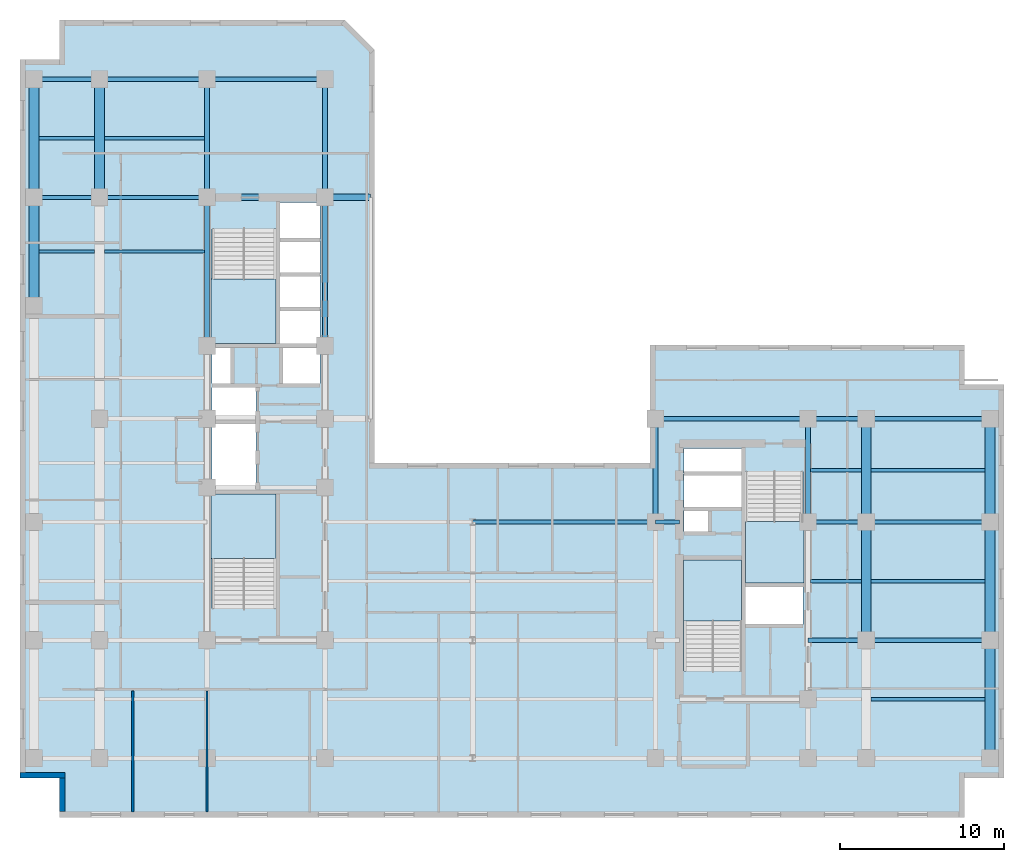
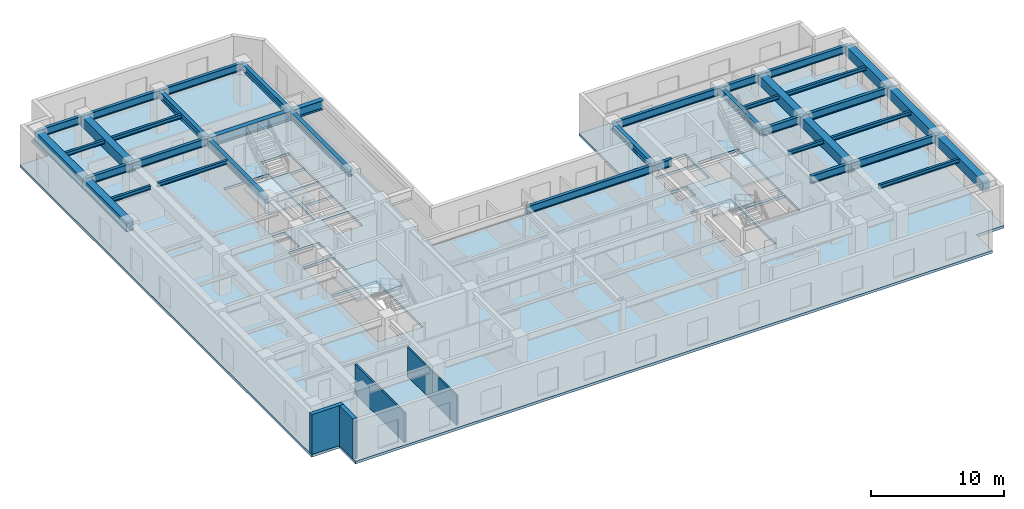
# One storey, part 2 of 10: 38 beams, 5 slabs, 4 walls, 4 elements without a shape of their own.
"""IFC4 building model written with IfcOpenShell, lengths in metres."""

from ifc_helpers import new_model, entity, si_unit, converted_unit, direction, frame, origin_with_axes, origin_2d_with_axis, place, context, subcontext, project, spatial, polyline, rectangle, i_section, outline, extrude, material, layer, layer_set, material_profile, profile_set, type_object, element, aggregate, save


model = new_model("IFC4")

# Units and contexts
model_context = context("Model", 3, precision=1e-05, world=origin_with_axes(), true_north=direction((0.0, 1.0)))
body_context = subcontext(model_context, "Body", "Model", "MODEL_VIEW")
ifc_project = project(units=[si_unit("LENGTHUNIT", "METRE"), si_unit("AREAUNIT", "SQUARE_METRE"), si_unit("VOLUMEUNIT", "CUBIC_METRE"), converted_unit("PLANEANGLEUNIT", "DEGREE", entity("IfcPlaneAngleMeasure", 0.017453292519943295), si_unit("PLANEANGLEUNIT", "RADIAN"), dimensions=[0, 0, 0, 0, 0, 0, 0]), si_unit("MASSUNIT", "GRAM", prefix="KILO"), si_unit("THERMODYNAMICTEMPERATUREUNIT", "KELVIN")], contexts=[model_context])

# Site, building, storey
site_placement = place(None, origin_with_axes())
site = spatial("IfcSite", under=ifc_project, at=site_placement, CompositionType="ELEMENT")
building_placement = place(site_placement, origin_with_axes())
building = spatial("IfcBuilding", under=site, at=building_placement, Name="Varnlund Millrace Tower", CompositionType="ELEMENT")
storey_placement = place(building_placement, frame((0.0, 0.0, 129.0), z_axis=(0.0, 0.0, 1.0), x_axis=(1.0, 0.0, 0.0)))
storey = spatial("IfcBuildingStorey", under=building, at=storey_placement, Name="L31", CompositionType="ELEMENT", Elevation=129.0)

# Beams
ifc_material_1 = material(Name="Steel ASTM A992 Grade 50", Category="steel")
ifc_material_profile_1 = material_profile(ifc_material_1, i_section(OverallWidth=0.328, OverallDepth=0.628, WebThickness=0.0165, FlangeThickness=0.0277, FilletRadius=0.018, at=origin_2d_with_axis()), Name="Steel ASTM A992 Grade 50")
ifc_profile_set_1 = profile_set([ifc_material_profile_1], Name="Steel ASTM A992 Grade 50")
beam_type_1 = type_object("IfcBeamType", Name="Type-Girder-W24X146", PredefinedType="USERDEFINED", material=ifc_profile_set_1)
beam_1_placement = place(storey_placement, frame((11.4, 28.75, 3.346), z_axis=(0.0, 1.0, 0.0), x_axis=(-1.0, 0.0, 0.0)))
element("IfcBeam", 1, at=beam_1_placement, inside=storey, type_object=beam_type_1, Name="Type-Girder-W24X146", ObjectType="GIRDER", PredefinedType="USERDEFINED", context=body_context, shape_type="SweptSolid", body=[
    extrude(i_section(OverallWidth=0.328, OverallDepth=0.628, WebThickness=0.0165, FlangeThickness=0.0277, FilletRadius=0.018, at=origin_2d_with_axis()), origin_with_axes(), (0.0, 0.0, 1.0), 9.05),
])
beam_2_placement = place(storey_placement, frame((11.4, 37.8, 3.346), z_axis=(0.0, 1.0, 0.0), x_axis=(-1.0, 0.0, 0.0)))
element("IfcBeam", 2, at=beam_2_placement, inside=storey, type_object=beam_type_1, Name="Type-Girder-W24X146", ObjectType="GIRDER", PredefinedType="USERDEFINED", context=body_context, shape_type="SweptSolid", body=[
    extrude(i_section(OverallWidth=0.328, OverallDepth=0.628, WebThickness=0.0165, FlangeThickness=0.0277, FilletRadius=0.018, at=origin_2d_with_axis()), origin_with_axes(), (0.0, 0.0, 1.0), 7.2),
])
beam_3_placement = place(storey_placement, frame((18.6, 28.75, 3.346), z_axis=(0.0, 1.0, 0.0), x_axis=(-1.0, 0.0, 0.0)))
element("IfcBeam", 3, at=beam_3_placement, inside=storey, type_object=beam_type_1, Name="Type-Girder-W24X146", ObjectType="GIRDER", PredefinedType="USERDEFINED", context=body_context, shape_type="SweptSolid", body=[
    extrude(i_section(OverallWidth=0.328, OverallDepth=0.628, WebThickness=0.0165, FlangeThickness=0.0277, FilletRadius=0.018, at=origin_2d_with_axis()), origin_with_axes(), (0.0, 0.0, 1.0), 9.05),
])
beam_4_placement = place(storey_placement, frame((18.6, 37.8, 3.346), z_axis=(0.0, 1.0, 0.0), x_axis=(-1.0, 0.0, 0.0)))
element("IfcBeam", 4, at=beam_4_placement, inside=storey, type_object=beam_type_1, Name="Type-Girder-W24X146", ObjectType="GIRDER", PredefinedType="USERDEFINED", context=body_context, shape_type="SweptSolid", body=[
    extrude(i_section(OverallWidth=0.328, OverallDepth=0.628, WebThickness=0.0165, FlangeThickness=0.0277, FilletRadius=0.018, at=origin_2d_with_axis()), origin_with_axes(), (0.0, 0.0, 1.0), 7.2),
])
for number, where, z_axis, x_axis, name in (
    (5, (38.75, 18.0, 3.346), (0.0, 1.0, 0.0), (-1.0, 0.0, 0.0), "Type-Girder-W24X146"),
    (6, (48.05, 18.0, 3.346), (0.0, 1.0, 0.0), (-1.0, 0.0, 0.0), "Type-Girder-W24X146"),
):
    element("IfcBeam", number, at=place(storey_placement, frame(where, z_axis=z_axis, x_axis=x_axis)), inside=storey, type_object=beam_type_1, Name=name, ObjectType="GIRDER", PredefinedType="USERDEFINED", context=body_context, shape_type="SweptSolid", body=[
        extrude(i_section(OverallWidth=0.328, OverallDepth=0.628, WebThickness=0.0165, FlangeThickness=0.0277, FilletRadius=0.018, at=origin_2d_with_axis()), origin_with_axes(), (0.0, 0.0, 1.0), 6.3),
    ])
ifc_material_profile_2 = material_profile(ifc_material_1, i_section(OverallWidth=0.256, OverallDepth=0.693, WebThickness=0.0145, FlangeThickness=0.0236, FilletRadius=0.018, at=origin_2d_with_axis()), Name="Steel ASTM A992 Grade 50")
ifc_profile_set_2 = profile_set([ifc_material_profile_2], Name="Steel ASTM A992 Grade 50")
beam_type_2 = type_object("IfcBeamType", Name="Type-Girder-W27X114", PredefinedType="USERDEFINED", material=ifc_profile_set_2)
beam_5_placement = place(storey_placement, frame((48.05, 10.8, 3.3135), z_axis=(1.0, 0.0, 0.0), x_axis=(0.0, 1.0, 0.0)))
element("IfcBeam", 7, at=beam_5_placement, inside=storey, type_object=beam_type_2, Name="Type-Girder-W27X114", ObjectType="GIRDER", PredefinedType="USERDEFINED", context=body_context, shape_type="SweptSolid", body=[
    extrude(i_section(OverallWidth=0.256, OverallDepth=0.693, WebThickness=0.0145, FlangeThickness=0.0236, FilletRadius=0.018, at=origin_2d_with_axis()), origin_with_axes(), (0.0, 0.0, 1.0), 3.55),
])
beam_6_placement = place(storey_placement, frame((51.6, 10.8, 3.3135), z_axis=(1.0, 0.0, 0.0), x_axis=(0.0, 1.0, 0.0)))
element("IfcBeam", 8, at=beam_6_placement, inside=storey, type_object=beam_type_2, Name="Type-Girder-W27X114", ObjectType="GIRDER", PredefinedType="USERDEFINED", context=body_context, shape_type="SweptSolid", body=[
    extrude(i_section(OverallWidth=0.256, OverallDepth=0.693, WebThickness=0.0145, FlangeThickness=0.0236, FilletRadius=0.018, at=origin_2d_with_axis()), origin_with_axes(), (0.0, 0.0, 1.0), 7.55),
])
beam_7_placement = place(storey_placement, frame((27.6, 18.0, 3.3135), z_axis=(1.0, 0.0, 0.0), x_axis=(0.0, 1.0, 0.0)))
element("IfcBeam", 9, at=beam_7_placement, inside=storey, type_object=beam_type_2, Name="Type-Girder-W27X114", ObjectType="GIRDER", PredefinedType="USERDEFINED", context=body_context, shape_type="SweptSolid", body=[
    extrude(i_section(OverallWidth=0.256, OverallDepth=0.693, WebThickness=0.0145, FlangeThickness=0.0236, FilletRadius=0.018, at=origin_2d_with_axis()), origin_with_axes(), (0.0, 0.0, 1.0), 11.15),
])
beam_8_placement = place(storey_placement, frame((38.75, 18.0, 3.3135), z_axis=(1.0, 0.0, 0.0), x_axis=(0.0, 1.0, 0.0)))
element("IfcBeam", 10, at=beam_8_placement, inside=storey, type_object=beam_type_2, Name="Type-Girder-W27X114", ObjectType="GIRDER", PredefinedType="USERDEFINED", context=body_context, shape_type="SweptSolid", body=[
    extrude(i_section(OverallWidth=0.256, OverallDepth=0.693, WebThickness=0.0145, FlangeThickness=0.0236, FilletRadius=0.018, at=origin_2d_with_axis()), origin_with_axes(), (0.0, 0.0, 1.0), 1.45),
])
beam_9_placement = place(storey_placement, frame((48.05, 18.0, 3.3135), z_axis=(1.0, 0.0, 0.0), x_axis=(0.0, 1.0, 0.0)))
element("IfcBeam", 11, at=beam_9_placement, inside=storey, type_object=beam_type_2, Name="Type-Girder-W27X114", ObjectType="GIRDER", PredefinedType="USERDEFINED", context=body_context, shape_type="SweptSolid", body=[
    extrude(i_section(OverallWidth=0.256, OverallDepth=0.693, WebThickness=0.0145, FlangeThickness=0.0236, FilletRadius=0.018, at=origin_2d_with_axis()), origin_with_axes(), (0.0, 0.0, 1.0), 3.55),
])
beam_10_placement = place(storey_placement, frame((51.6, 18.0, 3.3135), z_axis=(1.0, 0.0, 0.0), x_axis=(0.0, 1.0, 0.0)))
element("IfcBeam", 12, at=beam_10_placement, inside=storey, type_object=beam_type_2, Name="Type-Girder-W27X114", ObjectType="GIRDER", PredefinedType="USERDEFINED", context=body_context, shape_type="SweptSolid", body=[
    extrude(i_section(OverallWidth=0.256, OverallDepth=0.693, WebThickness=0.0145, FlangeThickness=0.0236, FilletRadius=0.018, at=origin_2d_with_axis()), origin_with_axes(), (0.0, 0.0, 1.0), 7.55),
])
beam_11_placement = place(storey_placement, frame((38.75, 24.3, 3.3135), z_axis=(1.0, 0.0, 0.0), x_axis=(0.0, 1.0, 0.0)))
element("IfcBeam", 13, at=beam_11_placement, inside=storey, type_object=beam_type_2, Name="Type-Girder-W27X114", ObjectType="GIRDER", PredefinedType="USERDEFINED", context=body_context, shape_type="SweptSolid", body=[
    extrude(i_section(OverallWidth=0.256, OverallDepth=0.693, WebThickness=0.0145, FlangeThickness=0.0236, FilletRadius=0.018, at=origin_2d_with_axis()), origin_with_axes(), (0.0, 0.0, 1.0), 9.3),
])
beam_12_placement = place(storey_placement, frame((48.05, 24.3, 3.3135), z_axis=(1.0, 0.0, 0.0), x_axis=(0.0, 1.0, 0.0)))
element("IfcBeam", 14, at=beam_12_placement, inside=storey, type_object=beam_type_2, Name="Type-Girder-W27X114", ObjectType="GIRDER", PredefinedType="USERDEFINED", context=body_context, shape_type="SweptSolid", body=[
    extrude(i_section(OverallWidth=0.256, OverallDepth=0.693, WebThickness=0.0145, FlangeThickness=0.0236, FilletRadius=0.018, at=origin_2d_with_axis()), origin_with_axes(), (0.0, 0.0, 1.0), 3.55),
])
beam_13_placement = place(storey_placement, frame((51.6, 24.3, 3.3135), z_axis=(1.0, 0.0, 0.0), x_axis=(0.0, 1.0, 0.0)))
element("IfcBeam", 15, at=beam_13_placement, inside=storey, type_object=beam_type_2, Name="Type-Girder-W27X114", ObjectType="GIRDER", PredefinedType="USERDEFINED", context=body_context, shape_type="SweptSolid", body=[
    extrude(i_section(OverallWidth=0.256, OverallDepth=0.693, WebThickness=0.0145, FlangeThickness=0.0236, FilletRadius=0.018, at=origin_2d_with_axis()), origin_with_axes(), (0.0, 0.0, 1.0), 7.55),
])
beam_14_placement = place(storey_placement, frame((0.85, 37.8, 3.3135), z_axis=(1.0, 0.0, 0.0), x_axis=(0.0, 1.0, 0.0)))
element("IfcBeam", 16, at=beam_14_placement, inside=storey, type_object=beam_type_2, Name="Type-Girder-W27X114", ObjectType="GIRDER", PredefinedType="USERDEFINED", context=body_context, shape_type="SweptSolid", body=[
    extrude(i_section(OverallWidth=0.256, OverallDepth=0.693, WebThickness=0.0145, FlangeThickness=0.0236, FilletRadius=0.018, at=origin_2d_with_axis()), origin_with_axes(), (0.0, 0.0, 1.0), 4.0),
])
beam_15_placement = place(storey_placement, frame((4.85, 37.8, 3.3135), z_axis=(1.0, 0.0, 0.0), x_axis=(0.0, 1.0, 0.0)))
element("IfcBeam", 17, at=beam_15_placement, inside=storey, type_object=beam_type_2, Name="Type-Girder-W27X114", ObjectType="GIRDER", PredefinedType="USERDEFINED", context=body_context, shape_type="SweptSolid", body=[
    extrude(i_section(OverallWidth=0.256, OverallDepth=0.693, WebThickness=0.0145, FlangeThickness=0.0236, FilletRadius=0.018, at=origin_2d_with_axis()), origin_with_axes(), (0.0, 0.0, 1.0), 6.55),
])
beam_16_placement = place(storey_placement, frame((0.85, 45.0, 3.3135), z_axis=(1.0, 0.0, 0.0), x_axis=(0.0, 1.0, 0.0)))
element("IfcBeam", 18, at=beam_16_placement, inside=storey, type_object=beam_type_2, Name="Type-Girder-W27X114", ObjectType="GIRDER", PredefinedType="USERDEFINED", context=body_context, shape_type="SweptSolid", body=[
    extrude(i_section(OverallWidth=0.256, OverallDepth=0.693, WebThickness=0.0145, FlangeThickness=0.0236, FilletRadius=0.018, at=origin_2d_with_axis()), origin_with_axes(), (0.0, 0.0, 1.0), 4.0),
])
beam_17_placement = place(storey_placement, frame((4.85, 45.0, 3.3135), z_axis=(1.0, 0.0, 0.0), x_axis=(0.0, 1.0, 0.0)))
element("IfcBeam", 19, at=beam_17_placement, inside=storey, type_object=beam_type_2, Name="Type-Girder-W27X114", ObjectType="GIRDER", PredefinedType="USERDEFINED", context=body_context, shape_type="SweptSolid", body=[
    extrude(i_section(OverallWidth=0.256, OverallDepth=0.693, WebThickness=0.0145, FlangeThickness=0.0236, FilletRadius=0.018, at=origin_2d_with_axis()), origin_with_axes(), (0.0, 0.0, 1.0), 6.55),
])
beam_18_placement = place(storey_placement, frame((11.4, 45.0, 3.3135), z_axis=(1.0, 0.0, 0.0), x_axis=(0.0, 1.0, 0.0)))
element("IfcBeam", 20, at=beam_18_placement, inside=storey, type_object=beam_type_2, Name="Type-Girder-W27X114", ObjectType="GIRDER", PredefinedType="USERDEFINED", context=body_context, shape_type="SweptSolid", body=[
    extrude(i_section(OverallWidth=0.256, OverallDepth=0.693, WebThickness=0.0145, FlangeThickness=0.0236, FilletRadius=0.018, at=origin_2d_with_axis()), origin_with_axes(), (0.0, 0.0, 1.0), 7.2),
])
ifc_material_profile_3 = material_profile(ifc_material_1, i_section(OverallWidth=0.399, OverallDepth=0.855, WebThickness=0.0182, FlangeThickness=0.0292, FilletRadius=0.022, at=origin_2d_with_axis()), Name="Steel ASTM A992 Grade 50")
ifc_profile_set_3 = profile_set([ifc_material_profile_3], Name="Steel ASTM A992 Grade 50")
beam_type_3 = type_object("IfcBeamType", Name="Type-Girder-W33X201", PredefinedType="USERDEFINED", material=ifc_profile_set_3)
beam_19_placement = place(storey_placement, frame((11.4, 37.8, 3.2325), z_axis=(1.0, 0.0, 0.0), x_axis=(0.0, 1.0, 0.0)))
element("IfcBeam", 21, at=beam_19_placement, inside=storey, type_object=beam_type_3, Name="Type-Girder-W33X201", ObjectType="GIRDER", PredefinedType="USERDEFINED", context=body_context, shape_type="SweptSolid", body=[
    extrude(i_section(OverallWidth=0.399, OverallDepth=0.855, WebThickness=0.0182, FlangeThickness=0.0292, FilletRadius=0.022, at=origin_2d_with_axis()), origin_with_axes(), (0.0, 0.0, 1.0), 9.978),
])
ifc_material_profile_4 = material_profile(ifc_material_1, i_section(OverallWidth=0.204, OverallDepth=0.35, WebThickness=0.0086, FlangeThickness=0.0151, FilletRadius=0.013, at=origin_2d_with_axis()), Name="Steel ASTM A992 Grade 50")
ifc_profile_set_4 = profile_set([ifc_material_profile_4], Name="Steel ASTM A992 Grade 50")
beam_type_4 = type_object("IfcBeamType", Name="Type-Joist-W14X48", PredefinedType="JOIST", material=ifc_profile_set_4)
for number, where, z_axis, x_axis, name in (
    (22, (1.15, 34.5, 3.485), (1.0, 0.0, 0.0), (0.0, 1.0, 0.0), "Type-Joist-W14X48"),
    (23, (1.15, 41.4, 3.485), (1.0, 0.0, 0.0), (0.0, 1.0, 0.0), "Type-Joist-W14X48"),
):
    element("IfcBeam", number, at=place(storey_placement, frame(where, z_axis=z_axis, x_axis=x_axis)), inside=storey, type_object=beam_type_4, Name=name, PredefinedType="JOIST", context=body_context, shape_type="SweptSolid", body=[
        extrude(i_section(OverallWidth=0.204, OverallDepth=0.35, WebThickness=0.0086, FlangeThickness=0.0151, FilletRadius=0.013, at=origin_2d_with_axis()), origin_with_axes(), (0.0, 0.0, 1.0), 3.4),
    ])
for number, where, z_axis, x_axis, name in (
    (24, (5.15, 34.5, 3.485), (1.0, 0.0, 0.0), (0.0, 1.0, 0.0), "Type-Joist-W14X48"),
    (25, (5.15, 41.4, 3.485), (1.0, 0.0, 0.0), (0.0, 1.0, 0.0), "Type-Joist-W14X48"),
):
    element("IfcBeam", number, at=place(storey_placement, frame(where, z_axis=z_axis, x_axis=x_axis)), inside=storey, type_object=beam_type_4, Name=name, PredefinedType="JOIST", context=body_context, shape_type="SweptSolid", body=[
        extrude(i_section(OverallWidth=0.204, OverallDepth=0.35, WebThickness=0.0086, FlangeThickness=0.0151, FilletRadius=0.013, at=origin_2d_with_axis()), origin_with_axes(), (0.0, 0.0, 1.0), 6.086),
    ])
for number, where, z_axis, x_axis, name in (
    (26, (48.214, 14.4, 3.485), (1.0, 0.0, 0.0), (0.0, 1.0, 0.0), "Type-Joist-W14X48"),
    (27, (48.214, 21.15, 3.485), (1.0, 0.0, 0.0), (0.0, 1.0, 0.0), "Type-Joist-W14X48"),
):
    element("IfcBeam", number, at=place(storey_placement, frame(where, z_axis=z_axis, x_axis=x_axis)), inside=storey, type_object=beam_type_4, Name=name, PredefinedType="JOIST", context=body_context, shape_type="SweptSolid", body=[
        extrude(i_section(OverallWidth=0.204, OverallDepth=0.35, WebThickness=0.0086, FlangeThickness=0.0151, FilletRadius=0.013, at=origin_2d_with_axis()), origin_with_axes(), (0.0, 0.0, 1.0), 3.086),
    ])
for number, where, z_axis, x_axis, name in (
    (28, (51.9, 7.2, 3.485), (1.0, 0.0, 0.0), (0.0, 1.0, 0.0), "Type-Joist-W14X48"),
    (29, (51.9, 14.4, 3.485), (1.0, 0.0, 0.0), (0.0, 1.0, 0.0), "Type-Joist-W14X48"),
    (30, (51.9, 21.15, 3.485), (1.0, 0.0, 0.0), (0.0, 1.0, 0.0), "Type-Joist-W14X48"),
):
    element("IfcBeam", number, at=place(storey_placement, frame(where, z_axis=z_axis, x_axis=x_axis)), inside=storey, type_object=beam_type_4, Name=name, PredefinedType="JOIST", context=body_context, shape_type="SweptSolid", body=[
        extrude(i_section(OverallWidth=0.204, OverallDepth=0.35, WebThickness=0.0086, FlangeThickness=0.0151, FilletRadius=0.013, at=origin_2d_with_axis()), origin_with_axes(), (0.0, 0.0, 1.0), 6.95),
    ])
ifc_material_2 = material(Name="Concrete C70/85", Category="concrete")
ifc_material_profile_5 = material_profile(ifc_material_2, rectangle(XDim=0.6, YDim=0.9, at=origin_2d_with_axis()), Name="Concrete C70/85")
ifc_profile_set_5 = profile_set([ifc_material_profile_5], Name="Concrete C70/85")
beam_type_5 = type_object("IfcBeamType", Name="Type-Spandrel-RC600X900", PredefinedType="SPANDREL", material=ifc_profile_set_5)
beam_20_placement = place(storey_placement, frame((0.85, 31.2, 3.21), z_axis=(0.0, 1.0, 0.0), x_axis=(-1.0, 0.0, 0.0)))
element("IfcBeam", 31, at=beam_20_placement, inside=storey, type_object=beam_type_5, Name="Type-Spandrel-RC600X900", PredefinedType="SPANDREL", context=body_context, shape_type="SweptSolid", body=[
    extrude(rectangle(XDim=0.6, YDim=0.9, at=origin_2d_with_axis()), origin_with_axes(), (0.0, 0.0, 1.0), 6.6),
])
for number, where, z_axis, x_axis, name in (
    (32, (0.85, 37.8, 3.21), (0.0, 1.0, 0.0), (-1.0, 0.0, 0.0), "Type-Spandrel-RC600X900"),
    (33, (4.85, 37.8, 3.21), (0.0, 1.0, 0.0), (-1.0, 0.0, 0.0), "Type-Spandrel-RC600X900"),
    (34, (51.6, 10.8, 3.21), (0.0, 1.0, 0.0), (-1.0, 0.0, 0.0), "Type-Spandrel-RC600X900"),
):
    element("IfcBeam", number, at=place(storey_placement, frame(where, z_axis=z_axis, x_axis=x_axis)), inside=storey, type_object=beam_type_5, Name=name, PredefinedType="SPANDREL", context=body_context, shape_type="SweptSolid", body=[
        extrude(rectangle(XDim=0.6, YDim=0.9, at=origin_2d_with_axis()), origin_with_axes(), (0.0, 0.0, 1.0), 7.2),
    ])
beam_21_placement = place(storey_placement, frame((51.6, 18.0, 3.21), z_axis=(0.0, 1.0, 0.0), x_axis=(-1.0, 0.0, 0.0)))
element("IfcBeam", 35, at=beam_21_placement, inside=storey, type_object=beam_type_5, Name="Type-Spandrel-RC600X900", PredefinedType="SPANDREL", context=body_context, shape_type="SweptSolid", body=[
    extrude(rectangle(XDim=0.6, YDim=0.9, at=origin_2d_with_axis()), origin_with_axes(), (0.0, 0.0, 1.0), 6.3),
])
for number, where, z_axis, x_axis, name in (
    (36, (59.15, 3.6, 3.21), (0.0, 1.0, 0.0), (-1.0, 0.0, 0.0), "Type-Spandrel-RC600X900"),
    (37, (59.15, 10.8, 3.21), (0.0, 1.0, 0.0), (-1.0, 0.0, 0.0), "Type-Spandrel-RC600X900"),
):
    element("IfcBeam", number, at=place(storey_placement, frame(where, z_axis=z_axis, x_axis=x_axis)), inside=storey, type_object=beam_type_5, Name=name, PredefinedType="SPANDREL", context=body_context, shape_type="SweptSolid", body=[
        extrude(rectangle(XDim=0.6, YDim=0.9, at=origin_2d_with_axis()), origin_with_axes(), (0.0, 0.0, 1.0), 7.2),
    ])
beam_22_placement = place(storey_placement, frame((59.15, 18.0, 3.21), z_axis=(0.0, 1.0, 0.0), x_axis=(-1.0, 0.0, 0.0)))
element("IfcBeam", 38, at=beam_22_placement, inside=storey, type_object=beam_type_5, Name="Type-Spandrel-RC600X900", PredefinedType="SPANDREL", context=body_context, shape_type="SweptSolid", body=[
    extrude(rectangle(XDim=0.6, YDim=0.9, at=origin_2d_with_axis()), origin_with_axes(), (0.0, 0.0, 1.0), 6.3),
])

# Slab
ifc_material_3 = material(Name="Concrete C60/75", Category="concrete")
ifc_layer_1 = layer(ifc_material_3, 0.24, Name="Concrete C60/75")
ifc_layer_set_1 = layer_set([ifc_layer_1], Name="Concrete C60/75")
slab_type_1 = type_object("IfcSlabType", Name="Type-Deck-Plate-Typical-240", PredefinedType="FLOOR", material=ifc_layer_set_1)
slab_1_placement = place(storey_placement, frame((0.0, 0.0, -0.24), z_axis=(0.0, 0.0, 1.0), x_axis=(1.0, 0.0, 0.0)))
element("IfcSlab", 39, at=slab_1_placement, inside=storey, type_object=slab_type_1, Name="Type-Deck-Plate-Typical-240", PredefinedType="FLOOR", context=body_context, shape_type="SweptSolid", body=[
    extrude(outline(polyline([(21.628, 21.6), (21.628, 46.8), (19.828, 48.6), (2.4, 48.6), (2.4, 46.2), (0.0, 46.2), (0.0, 2.4), (2.4, 2.4), (2.4, 0.0), (57.6, 0.0), (57.6, 2.4), (60.0, 2.4), (60.0, 26.4), (57.6, 26.4), (57.6, 28.8), (38.4, 28.8), (38.4, 21.6), (21.628, 21.6)]), holes=[polyline([(15.6, 12.715), (11.7, 12.715), (11.7, 19.7), (15.6, 19.7), (15.6, 12.715)]), polyline([(14.38, 23.98), (14.38, 19.94), (11.7, 19.94), (11.7, 23.98), (14.38, 23.98)]), polyline([(14.38, 24.24), (11.7, 24.24), (11.7, 26.2), (14.38, 26.2), (14.38, 24.24)]), polyline([(12.84, 26.46), (11.7, 26.46), (11.7, 28.65), (12.84, 28.65), (12.84, 26.46)]), polyline([(18.3, 28.9), (15.84, 28.9), (15.84, 30.98), (18.3, 30.98), (18.3, 28.9)]), polyline([(18.3, 31.02), (15.84, 31.02), (15.84, 33.08), (18.3, 33.08), (18.3, 31.02)]), polyline([(15.6, 28.9), (11.7, 28.9), (11.7, 35.885), (15.6, 35.885), (15.6, 28.9)]), polyline([(18.3, 33.12), (15.84, 33.12), (15.84, 35.18), (18.3, 35.18), (18.3, 33.12)]), polyline([(44.0, 8.915), (40.5, 8.915), (40.5, 15.7), (44.0, 15.7), (44.0, 8.915)]), polyline([(47.75, 11.74), (44.25, 11.74), (44.25, 14.06), (47.75, 14.06), (47.75, 11.74)]), polyline([(47.75, 14.3), (44.25, 14.3), (44.25, 21.085), (47.75, 21.085), (47.75, 14.3)]), polyline([(41.95, 17.42), (40.5, 17.42), (40.5, 18.72), (41.95, 18.72), (41.95, 17.42)]), polyline([(44.0, 18.88), (40.5, 18.88), (40.5, 20.94), (44.0, 20.94), (44.0, 18.88)]), polyline([(44.0, 21.0), (40.5, 21.0), (40.5, 22.5), (44.0, 22.5), (44.0, 21.0)]), polyline([(16.04, 26.46), (16.04, 28.65), (18.3, 28.65), (18.3, 26.46), (16.04, 26.46)]), polyline([(15.84, 35.22), (15.84, 37.5), (18.3, 37.5), (18.3, 35.22), (15.84, 35.22)])]), origin_with_axes(), (0.0, 0.0, 1.0), 0.24),
])

# Stair, slab
ifc_material_4 = material(Name="Concrete C50/60", Category="concrete")
stair_type_1 = type_object("IfcStairType", Name="Type-Stair-Dogleg-185-390", PredefinedType="HALF_TURN_STAIR", material=ifc_material_4)
stair_1_placement = place(storey_placement, origin_with_axes())
stair_1 = element("IfcStair", 40, at=stair_1_placement, inside=storey, type_object=stair_type_1, Name="Type-Stair-Dogleg-185-390", PredefinedType="HALF_TURN_STAIR")
ifc_layer_2 = layer(ifc_material_4, 0.2, Name="Concrete C50/60")
ifc_layer_set_2 = layer_set([ifc_layer_2], Name="Concrete C50/60")
slab_type_2 = type_object("IfcSlabType", Name="Type-StairLanding-200", PredefinedType="LANDING", material=ifc_layer_set_2)
slab_2_placement = place(storey_placement, frame((0.0, 0.0, 1.75), z_axis=(0.0, 0.0, 1.0), x_axis=(1.0, 0.0, 0.0)))
slab_2 = element("IfcSlab", 41, at=slab_2_placement, type_object=slab_type_2, Name="ST-A1 landing 1", PredefinedType="LANDING", context=body_context, shape_type="SweptSolid", body=[
    extrude(outline(polyline([(15.6, 15.78), (15.6, 19.7), (11.65, 19.7), (11.65, 15.78), (15.6, 15.78)])), origin_with_axes(), (0.0, 0.0, 1.0), 0.2),
])
aggregate(stair_1, [slab_2])

stair_2_placement = place(storey_placement, origin_with_axes())
stair_2 = element("IfcStair", 42, at=stair_2_placement, inside=storey, type_object=stair_type_1, Name="Type-Stair-Dogleg-185-390", PredefinedType="HALF_TURN_STAIR")
slab_3_placement = place(storey_placement, frame((0.0, 0.0, 1.75), z_axis=(0.0, 0.0, 1.0), x_axis=(1.0, 0.0, 0.0)))
slab_3 = element("IfcSlab", 43, at=slab_3_placement, type_object=slab_type_2, Name="ST-A2 landing 1", PredefinedType="LANDING", context=body_context, shape_type="SweptSolid", body=[
    extrude(outline(polyline([(11.65, 32.82), (11.65, 28.9), (15.6, 28.9), (15.6, 32.82), (11.65, 32.82)])), origin_with_axes(), (0.0, 0.0, 1.0), 0.2),
])
aggregate(stair_2, [slab_3])

stair_type_2 = type_object("IfcStairType", Name="Type-Stair-Dogleg-165-390", PredefinedType="HALF_TURN_STAIR", material=ifc_material_4)
stair_3_placement = place(storey_placement, origin_with_axes())
stair_3 = element("IfcStair", 44, at=stair_3_placement, inside=storey, type_object=stair_type_2, Name="Type-Stair-Dogleg-165-390", PredefinedType="HALF_TURN_STAIR")
slab_4_placement = place(storey_placement, frame((0.0, 0.0, 1.75), z_axis=(0.0, 0.0, 1.0), x_axis=(1.0, 0.0, 0.0)))
slab_4 = element("IfcSlab", 45, at=slab_4_placement, type_object=slab_type_2, Name="ST-B1 landing 1", PredefinedType="LANDING", context=body_context, shape_type="SweptSolid", body=[
    extrude(outline(polyline([(44.0, 11.98), (44.0, 15.7), (40.45, 15.7), (40.45, 11.98), (44.0, 11.98)])), origin_with_axes(), (0.0, 0.0, 1.0), 0.2),
])
aggregate(stair_3, [slab_4])

stair_4_placement = place(storey_placement, origin_with_axes())
stair_4 = element("IfcStair", 46, at=stair_4_placement, inside=storey, type_object=stair_type_2, Name="Type-Stair-Dogleg-165-390", PredefinedType="HALF_TURN_STAIR")
slab_5_placement = place(storey_placement, frame((0.0, 0.0, 1.75), z_axis=(0.0, 0.0, 1.0), x_axis=(1.0, 0.0, 0.0)))
slab_5 = element("IfcSlab", 47, at=slab_5_placement, type_object=slab_type_2, Name="ST-B2 landing 1", PredefinedType="LANDING", context=body_context, shape_type="SweptSolid", body=[
    extrude(outline(polyline([(44.25, 18.02), (44.25, 14.3), (47.8, 14.3), (47.8, 18.02), (44.25, 18.02)])), origin_with_axes(), (0.0, 0.0, 1.0), 0.2),
])
aggregate(stair_4, [slab_5])

# Walls
ifc_material_5 = material(Name="Precast concrete C50/60", Category="concrete")
ifc_layer_3 = layer(ifc_material_5, 0.34, Name="Precast concrete C50/60")
ifc_layer_set_3 = layer_set([ifc_layer_3], Name="Precast concrete C50/60")
wall_type_1 = type_object("IfcWallType", Name="Type-ExtWall-Precast-Upper-340", PredefinedType="SOLIDWALL", material=ifc_layer_set_3)
wall_1_placement = place(storey_placement, frame((2.57, 0.34, 0.0), z_axis=(0.0, 0.0, 1.0), x_axis=(0.0, 1.0, 0.0)))
element("IfcWall", 48, at=wall_1_placement, inside=storey, type_object=wall_type_1, Name="Type-ExtWall-Precast-Upper-340", PredefinedType="SOLIDWALL", context=body_context, shape_type="SweptSolid", body=[
    extrude(outline(polyline([(0.0, -0.17), (2.06, -0.17), (2.06, 0.17), (0.0, 0.17), (0.0, -0.17)])), origin_with_axes(), (0.0, 0.0, 1.0), 3.66),
])
wall_2_placement = place(storey_placement, frame((2.74, 2.57, 0.0), z_axis=(0.0, 0.0, 1.0), x_axis=(-1.0, 0.0, 0.0)))
element("IfcWall", 49, at=wall_2_placement, inside=storey, type_object=wall_type_1, Name="Type-ExtWall-Precast-Upper-340", PredefinedType="SOLIDWALL", context=body_context, shape_type="SweptSolid", body=[
    extrude(outline(polyline([(0.0, -0.17), (2.74, -0.17), (2.74, 0.17), (0.0, 0.17), (0.0, -0.17)])), origin_with_axes(), (0.0, 0.0, 1.0), 3.66),
])
ifc_material_6 = material(Name="Acoustic STC-50 gypsum board partition", Category="gypsum")
ifc_layer_4 = layer(ifc_material_6, 0.15, Name="Acoustic STC-50 gypsum board partition")
ifc_layer_set_4 = layer_set([ifc_layer_4], Name="Acoustic STC-50 gypsum board partition")
wall_type_2 = type_object("IfcWallType", Name="Type-Partition-Demising-150", PredefinedType="PARTITIONING", material=ifc_layer_set_4)
wall_3_placement = place(storey_placement, frame((6.884, 0.335, 0.0), z_axis=(0.0, 0.0, 1.0), x_axis=(0.0, 1.0, 0.0)))
element("IfcWall", 50, at=wall_3_placement, inside=storey, type_object=wall_type_2, Name="Type-Partition-Demising-150", PredefinedType="PARTITIONING", context=body_context, shape_type="SweptSolid", body=[
    extrude(outline(polyline([(0.0, -0.075), (7.365, -0.075), (7.365, 0.075), (0.0, 0.075), (0.0, -0.075)])), origin_with_axes(), (0.0, 0.0, 1.0), 2.7),
])
ifc_material_7 = material(Name="Gypsum board tenant partition", Category="gypsum")
ifc_layer_5 = layer(ifc_material_7, 0.125, Name="Gypsum board tenant partition")
ifc_layer_set_5 = layer_set([ifc_layer_5], Name="Gypsum board tenant partition")
wall_type_3 = type_object("IfcWallType", Name="Type-Partition-Tenant-125", PredefinedType="PARTITIONING", material=ifc_layer_set_5)
wall_4_placement = place(storey_placement, frame((11.4, 0.335, 0.0), z_axis=(0.0, 0.0, 1.0), x_axis=(0.0, 1.0, 0.0)))
element("IfcWall", 51, at=wall_4_placement, inside=storey, type_object=wall_type_3, Name="Type-Partition-Tenant-125", PredefinedType="PARTITIONING", context=body_context, shape_type="SweptSolid", body=[
    extrude(outline(polyline([(0.0, -0.0625), (7.365, -0.0625), (7.365, 0.0625), (0.0, 0.0625), (0.0, -0.0625)])), origin_with_axes(), (0.0, 0.0, 1.0), 2.7),
])

save(model, "model.ifc")
